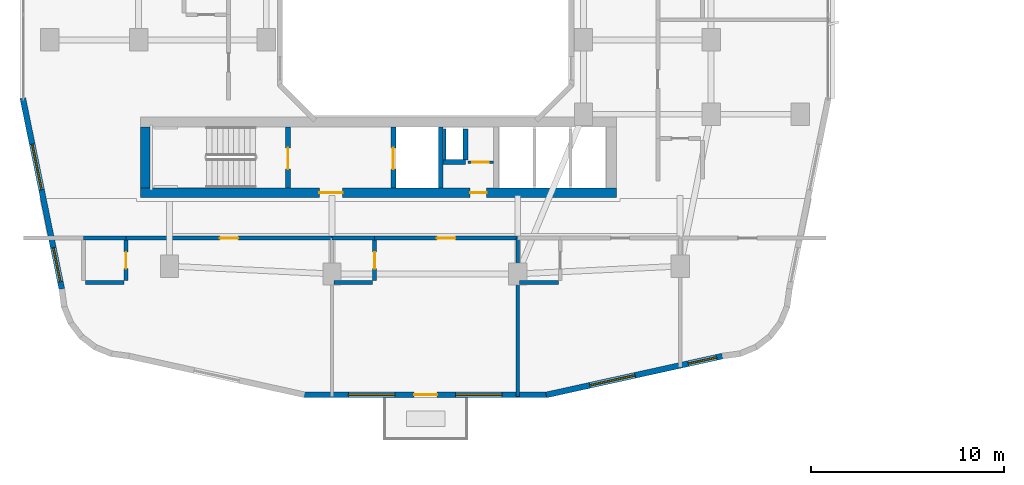
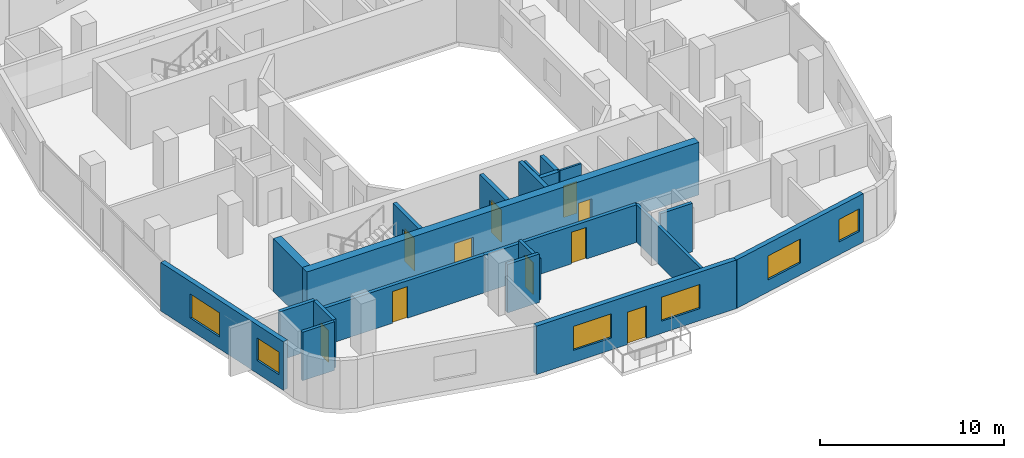
# One storey, part 8 of 22: 22 walls, 10 doors, 6 windows, 16 openings.
"""IFC4 building model written with IfcOpenShell, lengths in metres."""

from ifc_helpers import new_model, si_unit, derived_unit, direction, frame, frame_2d, origin, place, context, subcontext, project, spatial, rectangle, extrude, material, layer, layer_set, type_object, element, fill, save


model = new_model("IFC4")

# Units and contexts
model_context = context("Model", 3, precision=1e-05, world=origin(), true_north=direction((0.0, 1.0)))
body_context = subcontext(model_context, "Body", "Model", "MODEL_VIEW")
ifc_project = project(units=[si_unit("LENGTHUNIT", "METRE"), si_unit("AREAUNIT", "SQUARE_METRE"), si_unit("VOLUMEUNIT", "CUBIC_METRE"), si_unit("PLANEANGLEUNIT", "RADIAN"), si_unit("MASSUNIT", "GRAM", prefix="KILO"), derived_unit("THERMALTRANSMITTANCEUNIT", [(si_unit("POWERUNIT", "WATT"), 1), (si_unit("LENGTHUNIT", "METRE"), -2), (si_unit("THERMODYNAMICTEMPERATUREUNIT", "KELVIN"), -1)])], contexts=[model_context])

# Site, building, storey
site_placement = place(None, origin())
site = spatial("IfcSite", under=ifc_project, at=site_placement, CompositionType="ELEMENT")
building_placement = place(site_placement, origin())
building = spatial("IfcBuilding", under=site, at=building_placement, Name="Kivonza Crest Hotel", CompositionType="ELEMENT")
storey_placement = place(building_placement, frame((0.0, 0.0, 59.0)))
storey = spatial("IfcBuildingStorey", under=building, at=storey_placement, Name="L15", CompositionType="ELEMENT", Elevation=59.0)

# Walls
ifc_material_1 = material(Name="High-density acoustic masonry inter-tenancy wall", Category="masonry")
ifc_layer_1 = layer(ifc_material_1, 0.179931640625)
ifc_layer_set_1 = layer_set([ifc_layer_1], Name="High-density acoustic masonry inter-tenancy wall")
wall_type_1 = type_object("IfcWallType", Name="WL-ACOU-180", PredefinedType="SOLIDWALL", material=ifc_layer_set_1)
wall_1_placement = place(storey_placement, frame((25.800048828125, 3.06005859375, 0.0), z_axis=(0.0, 0.0, 1.0), x_axis=(0.0, 1.0, 0.0)))
element("IfcWall", 1, at=wall_1_placement, inside=storey, type_object=wall_type_1, Name="L15 interior partition WA-L15-T1S-DIV2", PredefinedType="SOLIDWALL", context=body_context, shape_type="SweptSolid", body=[
    extrude(rectangle(XDim=8.18994140625, YDim=0.179931640625, at=frame_2d((4.094970703125, 0.0))), origin(), (0.0, 0.0, 1.0), 2.4951171875),
])
ifc_material_2 = material(Name="Autoclaved aerated concrete blockwork", Category="masonry")
ifc_layer_2 = layer(ifc_material_2, 0.219970703125)
ifc_layer_set_2 = layer_set([ifc_layer_2], Name="Autoclaved aerated concrete blockwork")
wall_type_2 = type_object("IfcWallType", Name="WL-ACOU-220", PredefinedType="SOLIDWALL", material=ifc_layer_set_2)
wall_2_placement = place(storey_placement, frame((3.35009765625, 11.25, 0.0), z_axis=(0.0, 0.0, 1.0), x_axis=(1.0, 0.0, 0.0)))
element("IfcWall", 2, at=wall_2_placement, inside=storey, type_object=wall_type_2, Name="L15 interior partition WA-L15-S03-BCORR", PredefinedType="SOLIDWALL", context=body_context, shape_type="SweptSolid", body=[
    extrude(rectangle(XDim=2.199951171875, YDim=0.219970703125, at=frame_2d((1.10009765625, 0.0))), origin(), (0.0, 0.0, 1.0), 3.219970703125),
])

# Wall, opening, door
wall_3_placement = place(storey_placement, frame((5.550048828125, 11.25, 0.0), z_axis=(0.0, 0.0, 1.0), x_axis=(1.0, 0.0, 0.0)))
wall_3 = element("IfcWall", 3, at=wall_3_placement, inside=storey, type_object=wall_type_2, Name="L15 interior partition WA-L15-S03-MCORR", PredefinedType="SOLIDWALL", context=body_context, shape_type="SweptSolid", body=[
    extrude(rectangle(XDim=10.64990234375, YDim=0.219970703125, at=frame_2d((5.324951171875, 0.0))), origin(), (0.0, 0.0, 1.0), 2.4951171875),
])
opening_1_placement = place(wall_3_placement, frame((4.85009765625, 0.0, 0.0)))
opening_1 = element("IfcOpeningElement", 4, at=opening_1_placement, cuts=wall_3, Name="Opening DU-60", PredefinedType="OPENING", context=body_context, shape_type="SweptSolid", body=[
    extrude(rectangle(XDim=0.949951171875, YDim=2.10009765625, at=frame_2d((0.47509765625, 1.050048828125))), frame((0.0, 0.1201171875, 0.0), z_axis=(0.0, -1.0, 0.0), x_axis=(1.0, 0.0, 0.0)), (0.0, 0.0, 1.0), 0.239990234375),
])
ifc_material_3 = material(Name="Hardwood timber oak", Category="wood")
door_type_1 = type_object("IfcDoorType", Name="DR-UNIT-950", OperationType="NOTDEFINED", PredefinedType="DOOR", material=ifc_material_3)
door_1_placement = place(opening_1_placement, frame((0.949951171875, 0.0, 0.0), z_axis=(0.0, 0.0, 1.0), x_axis=(-1.0, 0.0, 0.0)))
door_1 = element("IfcDoor", 5, at=door_1_placement, inside=storey, type_object=door_type_1, Name="L15 S03 guest unit entrance fire door", OperationType="SINGLE_SWING_LEFT", OverallHeight=2.10009765625, OverallWidth=0.949951171875, PredefinedType="DOOR", context=body_context, shape_type="SweptSolid", body=[
    extrude(rectangle(XDim=0.949951171875, YDim=2.10009765625, at=frame_2d((0.47509765625, 1.050048828125))), frame((0.0, 0.02490234375, 0.0), z_axis=(0.0, -1.0, 0.0), x_axis=(1.0, 0.0, 0.0)), (0.0, 0.0, 1.0), 0.050048828125),
])
fill(opening_1, door_1)

# Wall
wall_4_placement = place(storey_placement, frame((16.199951171875, 11.25, 0.0), z_axis=(0.0, 0.0, 1.0), x_axis=(1.0, 0.0, 0.0)))
element("IfcWall", 6, at=wall_4_placement, inside=storey, type_object=wall_type_2, Name="L15 interior partition WA-L15-S04-BCORR", PredefinedType="SOLIDWALL", context=body_context, shape_type="SweptSolid", body=[
    extrude(rectangle(XDim=2.199951171875, YDim=0.219970703125, at=frame_2d((1.10009765625, 0.0))), origin(), (0.0, 0.0, 1.0), 2.4951171875),
])

# Wall, opening, door
wall_5_placement = place(storey_placement, frame((18.39990234375, 11.25, 0.0), z_axis=(0.0, 0.0, 1.0), x_axis=(1.0, 0.0, 0.0)))
wall_5 = element("IfcWall", 7, at=wall_5_placement, inside=storey, type_object=wall_type_2, Name="L15 interior partition WA-L15-S04-MCORR", PredefinedType="SOLIDWALL", context=body_context, shape_type="SweptSolid", body=[
    extrude(rectangle(XDim=7.400146484375, YDim=0.219970703125, at=frame_2d((3.7001953125, 0.0))), origin(), (0.0, 0.0, 1.0), 2.4951171875),
])
opening_2_placement = place(wall_5_placement, frame((3.22509765625, 0.0, 0.0)))
opening_2 = element("IfcOpeningElement", 8, at=opening_2_placement, cuts=wall_5, Name="Opening DU-60", PredefinedType="OPENING", context=body_context, shape_type="SweptSolid", body=[
    extrude(rectangle(XDim=0.949951171875, YDim=2.10009765625, at=frame_2d((0.47509765625, 1.050048828125))), frame((0.0, 0.1201171875, 0.0), z_axis=(0.0, -1.0, 0.0), x_axis=(1.0, 0.0, 0.0)), (0.0, 0.0, 1.0), 0.239990234375),
])
door_2_placement = place(opening_2_placement, frame((0.949951171875, 0.0, 0.0), z_axis=(0.0, 0.0, 1.0), x_axis=(-1.0, 0.0, 0.0)))
door_2 = element("IfcDoor", 9, at=door_2_placement, inside=storey, type_object=door_type_1, Name="L15 S04 guest unit entrance fire door", OperationType="SINGLE_SWING_RIGHT", OverallHeight=2.10009765625, OverallWidth=0.949951171875, PredefinedType="DOOR", context=body_context, shape_type="SweptSolid", body=[
    extrude(rectangle(XDim=0.949951171875, YDim=2.10009765625, at=frame_2d((0.47509765625, 1.050048828125))), frame((0.0, 0.02490234375, 0.0), z_axis=(0.0, -1.0, 0.0), x_axis=(1.0, 0.0, 0.0)), (0.0, 0.0, 1.0), 0.050048828125),
])
fill(opening_2, door_2)

# Wall, openings, doors
ifc_material_4 = material(Name="Concrete C60/75", Category="concrete")
ifc_layer_3 = layer(ifc_material_4, 0.5)
ifc_layer_set_3 = layer_set([ifc_layer_3], Name="Concrete C60/75")
wall_type_3 = type_object("IfcWallType", Name="WL-CORE-500", PredefinedType="SHEAR", material=ifc_layer_set_3)
wall_6_placement = place(storey_placement, frame((6.300048828125, 13.590087890625, 0.0), z_axis=(0.0, 0.0, 1.0), x_axis=(1.0, 0.0, 0.0)))
wall_6 = element("IfcWall", 10, at=wall_6_placement, inside=storey, type_object=wall_type_3, Name="Core wall T1-S South L15", PredefinedType="SHEAR", context=body_context, shape_type="SweptSolid", body=[
    extrude(rectangle(XDim=24.599853515625, YDim=0.5, at=frame_2d((12.2998046875, 0.0))), origin(), (0.0, 0.0, 1.0), 3.5),
])
opening_3_placement = place(wall_6_placement, frame((9.25, 0.0, 0.0)))
opening_3 = element("IfcOpeningElement", 11, at=opening_3_placement, cuts=wall_6, Name="Opening DF-60", PredefinedType="OPENING", context=body_context, shape_type="SweptSolid", body=[
    extrude(rectangle(XDim=1.199951171875, YDim=2.14990234375, at=frame_2d((0.60009765625, 1.074951171875))), frame((0.0, 0.260009765625, 0.0), z_axis=(0.0, -1.0, 0.0), x_axis=(1.0, 0.0, 0.0)), (0.0, 0.0, 1.0), 0.52001953125),
])
opening_4_placement = place(wall_6_placement, frame((17.0400390625, 0.0, 0.0)))
opening_4 = element("IfcOpeningElement", 12, at=opening_4_placement, cuts=wall_6, Name="Opening DF-60R", PredefinedType="OPENING", context=body_context, shape_type="SweptSolid", body=[
    extrude(rectangle(XDim=0.85009765625, YDim=2.10009765625, at=frame_2d((0.425048828125, 1.050048828125))), frame((0.0, 0.260009765625, 0.0), z_axis=(0.0, -1.0, 0.0), x_axis=(1.0, 0.0, 0.0)), (0.0, 0.0, 1.0), 0.52001953125),
])
door_type_2 = type_object("IfcDoorType", Name="DR-FD60-1200", OperationType="NOTDEFINED", PredefinedType="DOOR", material=ifc_material_3)
door_3_placement = place(opening_3_placement, frame((1.199951171875, 0.0, 0.0), z_axis=(0.0, 0.0, 1.0), x_axis=(-1.0, 0.0, 0.0)))
door_3 = element("IfcDoor", 13, at=door_3_placement, inside=storey, type_object=door_type_2, Name="L15 T1-S firefighting lobby fire door", OperationType="SINGLE_SWING_LEFT", OverallHeight=2.14990234375, OverallWidth=1.199951171875, PredefinedType="DOOR", context=body_context, shape_type="SweptSolid", body=[
    extrude(rectangle(XDim=1.199951171875, YDim=2.14990234375, at=frame_2d((0.60009765625, 1.074951171875))), frame((0.0, 0.02490234375, 0.0), z_axis=(0.0, -1.0, 0.0), x_axis=(1.0, 0.0, 0.0)), (0.0, 0.0, 1.0), 0.050048828125),
])
fill(opening_3, door_3)
door_type_3 = type_object("IfcDoorType", Name="DR-FD60-850", OperationType="NOTDEFINED", PredefinedType="DOOR", material=ifc_material_3)
door_4_placement = place(opening_4_placement, frame((0.85009765625, 0.0, 0.0), z_axis=(0.0, 0.0, 1.0), x_axis=(-1.0, 0.0, 0.0)))
door_4 = element("IfcDoor", 14, at=door_4_placement, inside=storey, type_object=door_type_3, Name="L15 T1-S core room door", OperationType="SINGLE_SWING_RIGHT", OverallHeight=2.10009765625, OverallWidth=0.85009765625, PredefinedType="DOOR", context=body_context, shape_type="SweptSolid", body=[
    extrude(rectangle(XDim=0.85009765625, YDim=2.10009765625, at=frame_2d((0.425048828125, 1.050048828125))), frame((0.0, 0.02490234375, 0.0), z_axis=(0.0, -1.0, 0.0), x_axis=(1.0, 0.0, 0.0)), (0.0, 0.0, 1.0), 0.050048828125),
])
fill(opening_4, door_4)

# Wall
wall_7_placement = place(storey_placement, frame((6.550048828125, 13.840087890625, 0.0), z_axis=(0.0, 0.0, 1.0), x_axis=(0.0, 1.0, 0.0)))
element("IfcWall", 15, at=wall_7_placement, inside=storey, type_object=wall_type_3, Name="Core wall T1-S West L15", PredefinedType="SHEAR", context=body_context, shape_type="SweptSolid", body=[
    extrude(rectangle(XDim=3.159912109375, YDim=0.5, at=frame_2d((1.580078125, 0.0))), origin(), (0.0, 0.0, 1.0), 3.5),
])

# Wall, openings, door, windows
ifc_material_5 = material(Name="Precast concrete C40/50", Category="concrete")
ifc_layer_4 = layer(ifc_material_5, 0.300048828125)
ifc_layer_set_4 = layer_set([ifc_layer_4], Name="Precast concrete C40/50")
wall_type_4 = type_object("IfcWallType", Name="WL-EXT-300", PredefinedType="STANDARD", material=ifc_layer_set_4)
wall_8_placement = place(storey_placement, frame((14.72705078125, 3.14990234375, 0.0), z_axis=(0.0, 0.0, 1.0), x_axis=(1.0, 0.0, 0.0)))
wall_8 = element("IfcWall", 16, at=wall_8_placement, inside=storey, type_object=wall_type_4, Name="L15 T1 exterior insulated wall 8", PredefinedType="STANDARD", context=body_context, shape_type="SweptSolid", body=[
    extrude(rectangle(XDim=12.591064453125, YDim=0.300048828125, at=frame_2d((6.29541015625, 0.0))), origin(), (0.0, 0.0, 1.0), 3.219970703125),
])
opening_5_placement = place(wall_8_placement, frame((5.712890625, 0.0, 0.0)))
opening_5 = element("IfcOpeningElement", 17, at=opening_5_placement, cuts=wall_8, Name="Opening DT-120", PredefinedType="OPENING", context=body_context, shape_type="SweptSolid", body=[
    extrude(rectangle(XDim=1.199951171875, YDim=2.14990234375, at=frame_2d((0.60009765625, 1.074951171875))), frame((0.0, 0.16015625, 0.0), z_axis=(0.0, -1.0, 0.0), x_axis=(1.0, 0.0, 0.0)), (0.0, 0.0, 1.0), 0.320068359375),
])
opening_6_placement = place(wall_8_placement, frame((2.318115234375, 0.0, 0.800048828125)))
opening_6 = element("IfcOpeningElement", 18, at=opening_6_placement, cuts=wall_8, Name="Opening WN-05", PredefinedType="OPENING", context=body_context, shape_type="SweptSolid", body=[
    extrude(rectangle(XDim=2.39990234375, YDim=1.60009765625, at=frame_2d((1.199951171875, 0.800048828125))), frame((0.0, 0.16015625, 0.0), z_axis=(0.0, -1.0, 0.0), x_axis=(1.0, 0.0, 0.0)), (0.0, 0.0, 1.0), 0.320068359375),
])
opening_7_placement = place(wall_8_placement, frame((7.867919921875, 0.0, 0.800048828125)))
opening_7 = element("IfcOpeningElement", 19, at=opening_7_placement, cuts=wall_8, Name="Opening WN-05", PredefinedType="OPENING", context=body_context, shape_type="SweptSolid", body=[
    extrude(rectangle(XDim=2.39990234375, YDim=1.60009765625, at=frame_2d((1.199951171875, 0.800048828125))), frame((0.0, 0.16015625, 0.0), z_axis=(0.0, -1.0, 0.0), x_axis=(1.0, 0.0, 0.0)), (0.0, 0.0, 1.0), 0.320068359375),
])
ifc_material_6 = material(Name="Anodised bronze aluminium and laminated safety glass", Category="aluminium")
door_type_4 = type_object("IfcDoorType", Name="DR-TERR-1200", OperationType="NOTDEFINED", PredefinedType="DOOR", material=ifc_material_6)
door_5_placement = place(opening_5_placement, frame((1.199951171875, 0.0, 0.0), z_axis=(0.0, 0.0, 1.0), x_axis=(-1.0, 0.0, 0.0)))
door_5 = element("IfcDoor", 20, at=door_5_placement, inside=storey, type_object=door_type_4, Name="T1 L15 SW sky-garden bridge access door", OperationType="SINGLE_SWING_LEFT", OverallHeight=2.14990234375, OverallWidth=1.199951171875, PredefinedType="DOOR", context=body_context, shape_type="SweptSolid", body=[
    extrude(rectangle(XDim=1.199951171875, YDim=2.14990234375, at=frame_2d((0.60009765625, 1.074951171875))), frame((0.0, 0.02490234375, 0.0), z_axis=(0.0, -1.0, 0.0), x_axis=(1.0, 0.0, 0.0)), (0.0, 0.0, 1.0), 0.050048828125),
])
fill(opening_5, door_5)
ifc_material_7 = material(Name="Thermally broken bronze aluminium and low-E double glazing", Category="aluminium")
window_type_1 = type_object("IfcWindowType", Name="WN-240x160", PartitioningType="TRIPLE_PANEL_VERTICAL", PredefinedType="WINDOW", material=ifc_material_7)
window_1_placement = place(opening_6_placement, origin())
window_1 = element("IfcWindow", 21, at=window_1_placement, inside=storey, type_object=window_type_1, Name="L15 T1 facade window 8 bay 1", OverallHeight=1.60009765625, OverallWidth=2.39990234375, PartitioningType="SINGLE_PANEL", PredefinedType="WINDOW", context=body_context, shape_type="SweptSolid", body=[
    extrude(rectangle(XDim=2.39990234375, YDim=1.60009765625, at=frame_2d((1.199951171875, 0.800048828125))), frame((0.0, 0.030029296875, 0.0), z_axis=(0.0, -1.0, 0.0), x_axis=(1.0, 0.0, 0.0)), (0.0, 0.0, 1.0), 0.06005859375),
])
fill(opening_6, window_1)
window_2_placement = place(opening_7_placement, origin())
window_2 = element("IfcWindow", 22, at=window_2_placement, inside=storey, type_object=window_type_1, Name="L15 T1 facade window 8 bay 2", OverallHeight=1.60009765625, OverallWidth=2.39990234375, PartitioningType="SINGLE_PANEL", PredefinedType="WINDOW", context=body_context, shape_type="SweptSolid", body=[
    extrude(rectangle(XDim=2.39990234375, YDim=1.60009765625, at=frame_2d((1.199951171875, 0.800048828125))), frame((0.0, 0.030029296875, 0.0), z_axis=(0.0, -1.0, 0.0), x_axis=(1.0, 0.0, 0.0)), (0.0, 0.0, 1.0), 0.06005859375),
])
fill(opening_7, window_2)

# Wall, openings, windows
wall_9_placement = place(storey_placement, frame((27.27197265625, 3.14111328125, 0.0), z_axis=(0.0, 0.0, 1.0), x_axis=(0.976555357219, 0.21526642629, 0.0)))
wall_9 = element("IfcWall", 23, at=wall_9_placement, inside=storey, type_object=wall_type_4, Name="L15 T1 exterior insulated wall 9", PredefinedType="STANDARD", context=body_context, shape_type="SweptSolid", body=[
    extrude(rectangle(XDim=9.322509765625, YDim=0.300048828125, at=frame_2d((4.6611328125, 0.0))), origin(), (0.0, 0.0, 1.0), 3.219970703125),
])
opening_8_placement = place(wall_9_placement, frame((2.306884765625, 0.0, 0.800048828125)))
opening_8 = element("IfcOpeningElement", 24, at=opening_8_placement, cuts=wall_9, Name="Opening WN-05", PredefinedType="OPENING", context=body_context, shape_type="SweptSolid", body=[
    extrude(rectangle(XDim=2.39990234375, YDim=1.60009765625, at=frame_2d((1.199951171875, 0.800048828125))), frame((0.0, 0.16015625, 0.0), z_axis=(0.0, -1.0, 0.0), x_axis=(1.0, 0.0, 0.0)), (0.0, 0.0, 1.0), 0.320068359375),
])
opening_9_placement = place(wall_9_placement, frame((7.52392578125, 0.0, 0.85009765625)))
opening_9 = element("IfcOpeningElement", 25, at=opening_9_placement, cuts=wall_9, Name="Opening WN-02", PredefinedType="OPENING", context=body_context, shape_type="SweptSolid", body=[
    extrude(rectangle(XDim=1.5, YDim=1.5, at=frame_2d((0.75, 0.75))), frame((0.0, 0.16015625, 0.0), z_axis=(0.0, -1.0, 0.0), x_axis=(1.0, 0.0, 0.0)), (0.0, 0.0, 1.0), 0.320068359375),
])
window_type_2 = type_object("IfcWindowType", Name="WN-150x150", PartitioningType="DOUBLE_PANEL_VERTICAL", PredefinedType="WINDOW", material=ifc_material_7)
window_3_placement = place(opening_9_placement, origin())
window_3 = element("IfcWindow", 26, at=window_3_placement, inside=storey, type_object=window_type_2, Name="L15 T1 facade window 9 bay 2", OverallHeight=1.5, OverallWidth=1.5, PartitioningType="SINGLE_PANEL", PredefinedType="WINDOW", context=body_context, shape_type="SweptSolid", body=[
    extrude(rectangle(XDim=1.5, YDim=1.5, at=frame_2d((0.75, 0.75))), frame((0.0, 0.030029296875, 0.0), z_axis=(0.0, -1.0, 0.0), x_axis=(1.0, 0.0, 0.0)), (0.0, 0.0, 1.0), 0.06005859375),
])
fill(opening_9, window_3)
window_4_placement = place(opening_8_placement, origin())
window_4 = element("IfcWindow", 27, at=window_4_placement, inside=storey, type_object=window_type_1, Name="L15 T1 facade window 9 bay 1", OverallHeight=1.60009765625, OverallWidth=2.39990234375, PartitioningType="SINGLE_PANEL", PredefinedType="WINDOW", context=body_context, shape_type="SweptSolid", body=[
    extrude(rectangle(XDim=2.39990234375, YDim=1.60009765625, at=frame_2d((1.199951171875, 0.800048828125))), frame((0.0, 0.030029296875, 0.0), z_axis=(0.0, -1.0, 0.0), x_axis=(1.0, 0.0, 0.0)), (0.0, 0.0, 1.0), 0.06005859375),
])
fill(opening_8, window_4)

wall_10_placement = place(storey_placement, frame((0.216064453125, 18.48388671875, 0.0), z_axis=(0.0, 0.0, 1.0), x_axis=(0.199990901713, -0.979797754249, 0.0)))
wall_10 = element("IfcWall", 28, at=wall_10_placement, inside=storey, type_object=wall_type_4, Name="L15 T1 exterior insulated wall 36", PredefinedType="STANDARD", context=body_context, shape_type="SweptSolid", body=[
    extrude(rectangle(XDim=10.065185546875, YDim=0.300048828125, at=frame_2d((5.03271484375, 0.0))), origin(), (0.0, 0.0, 1.0), 3.219970703125),
])
opening_10_placement = place(wall_10_placement, frame((2.428955078125, 0.0, 0.800048828125)))
opening_10 = element("IfcOpeningElement", 29, at=opening_10_placement, cuts=wall_10, Name="Opening WN-05", PredefinedType="OPENING", context=body_context, shape_type="SweptSolid", body=[
    extrude(rectangle(XDim=2.39990234375, YDim=1.60009765625, at=frame_2d((1.199951171875, 0.800048828125))), frame((0.0, 0.16015625, 0.0), z_axis=(0.0, -1.0, 0.0), x_axis=(1.0, 0.0, 0.0)), (0.0, 0.0, 1.0), 0.320068359375),
])
opening_11_placement = place(wall_10_placement, frame((7.886962890625, 0.0, 0.85009765625)))
opening_11 = element("IfcOpeningElement", 30, at=opening_11_placement, cuts=wall_10, Name="Opening WN-03", PredefinedType="OPENING", context=body_context, shape_type="SweptSolid", body=[
    extrude(rectangle(XDim=1.800048828125, YDim=1.5, at=frame_2d((0.89990234375, 0.75))), frame((0.0, 0.16015625, 0.0), z_axis=(0.0, -1.0, 0.0), x_axis=(1.0, 0.0, 0.0)), (0.0, 0.0, 1.0), 0.320068359375),
])
window_type_3 = type_object("IfcWindowType", Name="WN-180x150", PartitioningType="DOUBLE_PANEL_VERTICAL", PredefinedType="WINDOW", material=ifc_material_7)
window_5_placement = place(opening_11_placement, origin())
window_5 = element("IfcWindow", 31, at=window_5_placement, inside=storey, type_object=window_type_3, Name="L15 T1 facade window 36 bay 2", OverallHeight=1.5, OverallWidth=1.800048828125, PartitioningType="SINGLE_PANEL", PredefinedType="WINDOW", context=body_context, shape_type="SweptSolid", body=[
    extrude(rectangle(XDim=1.800048828125, YDim=1.5, at=frame_2d((0.89990234375, 0.75))), frame((0.0, 0.030029296875, 0.0), z_axis=(0.0, -1.0, 0.0), x_axis=(1.0, 0.0, 0.0)), (0.0, 0.0, 1.0), 0.06005859375),
])
fill(opening_11, window_5)
window_6_placement = place(opening_10_placement, origin())
window_6 = element("IfcWindow", 32, at=window_6_placement, inside=storey, type_object=window_type_1, Name="L15 T1 facade window 36 bay 1", OverallHeight=1.60009765625, OverallWidth=2.39990234375, PartitioningType="SINGLE_PANEL", PredefinedType="WINDOW", context=body_context, shape_type="SweptSolid", body=[
    extrude(rectangle(XDim=2.39990234375, YDim=1.60009765625, at=frame_2d((1.199951171875, 0.800048828125))), frame((0.0, 0.030029296875, 0.0), z_axis=(0.0, -1.0, 0.0), x_axis=(1.0, 0.0, 0.0)), (0.0, 0.0, 1.0), 0.06005859375),
])
fill(opening_10, window_6)

# Walls
ifc_material_8 = material(Name="Concrete blockwork fire-compartment wall", Category="masonry")
ifc_layer_5 = layer(ifc_material_8, 0.25)
ifc_layer_set_5 = layer_set([ifc_layer_5], Name="Concrete blockwork fire-compartment wall")
wall_type_5 = type_object("IfcWallType", Name="WL-FIRE-250", PredefinedType="SOLIDWALL", material=ifc_layer_set_5)
wall_11_placement = place(storey_placement, frame((23.10009765625, 15.280029296875, 0.0), z_axis=(0.0, 0.0, 1.0), x_axis=(0.0, 1.0, 0.0)))
element("IfcWall", 33, at=wall_11_placement, inside=storey, type_object=wall_type_5, Name="L15 interior partition WA-L15-T1-S-MEPR-E", PredefinedType="SOLIDWALL", context=body_context, shape_type="SweptSolid", body=[
    extrude(rectangle(XDim=1.619873046875, YDim=0.25, at=frame_2d((0.81005859375, 0.0))), origin(), (0.0, 0.0, 1.0), 3.219970703125),
])
wall_12_placement = place(storey_placement, frame((21.949951171875, 15.179931640625, 0.0), z_axis=(0.0, 0.0, 1.0), x_axis=(1.0, 0.0, 0.0)))
element("IfcWall", 34, at=wall_12_placement, inside=storey, type_object=wall_type_5, Name="L15 interior partition WA-L15-T1-S-MEPR-H", PredefinedType="SOLIDWALL", context=body_context, shape_type="SweptSolid", body=[
    extrude(rectangle(XDim=1.150146484375, YDim=0.25, at=frame_2d((0.5751953125, 0.0))), origin(), (0.0, 0.0, 1.0), 3.219970703125),
])

# Wall, opening, door
ifc_material_9 = material(Name="Metal-stud gypsum board partition", Category="gypsum")
ifc_layer_6 = layer(ifc_material_9, 0.125)
ifc_layer_set_6 = layer_set([ifc_layer_6], Name="Metal-stud gypsum board partition")
wall_type_6 = type_object("IfcWallType", Name="WL-PART-125", PredefinedType="PARTITIONING", material=ifc_layer_set_6)
wall_13_placement = place(storey_placement, frame((23.219970703125, 15.179931640625, 0.0), z_axis=(0.0, 0.0, 1.0), x_axis=(1.0, 0.0, 0.0)))
wall_13 = element("IfcWall", 35, at=wall_13_placement, inside=storey, type_object=wall_type_6, Name="L15 interior partition WP-L15-T1-S-SV3H", PredefinedType="PARTITIONING", context=body_context, shape_type="SweptSolid", body=[
    extrude(rectangle(XDim=1.330078125, YDim=0.125, at=frame_2d((0.6650390625, 0.0))), origin(), (0.0, 0.0, 1.0), 3.219970703125),
])
opening_12_placement = place(wall_13_placement, frame((0.239990234375, 0.0, 0.0)))
opening_12 = element("IfcOpeningElement", 36, at=opening_12_placement, cuts=wall_13, Name="Opening DI-85", PredefinedType="OPENING", context=body_context, shape_type="SweptSolid", body=[
    extrude(rectangle(XDim=0.85009765625, YDim=2.10009765625, at=frame_2d((0.425048828125, 1.050048828125))), frame((0.0, 0.072509765625, 0.0), z_axis=(0.0, -1.0, 0.0), x_axis=(1.0, 0.0, 0.0)), (0.0, 0.0, 1.0), 0.14501953125),
])
door_type_5 = type_object("IfcDoorType", Name="DR-INT-850", OperationType="NOTDEFINED", PredefinedType="DOOR", material=ifc_material_3)
door_6_placement = place(opening_12_placement, origin())
door_6 = element("IfcDoor", 37, at=door_6_placement, inside=storey, type_object=door_type_5, Name="L15 T1-S inner manifold door", OperationType="SINGLE_SWING_LEFT", OverallHeight=2.10009765625, OverallWidth=0.85009765625, PredefinedType="DOOR", context=body_context, shape_type="SweptSolid", body=[
    extrude(rectangle(XDim=0.85009765625, YDim=2.10009765625, at=frame_2d((0.425048828125, 1.050048828125))), frame((0.0, 0.02490234375, 0.0), z_axis=(0.0, -1.0, 0.0), x_axis=(1.0, 0.0, 0.0)), (0.0, 0.0, 1.0), 0.050048828125),
])
fill(opening_12, door_6)

# Wall
ifc_material_10 = material(Name="Twin-stud acoustic gypsum board partition", Category="gypsum")
ifc_layer_7 = layer(ifc_material_10, 0.14990234375)
ifc_layer_set_7 = layer_set([ifc_layer_7], Name="Twin-stud acoustic gypsum board partition")
wall_type_7 = type_object("IfcWallType", Name="WL-PART-150", PredefinedType="PARTITIONING", material=ifc_layer_set_7)
wall_14_placement = place(storey_placement, frame((22.030029296875, 15.280029296875, 0.0), z_axis=(0.0, 0.0, 1.0), x_axis=(0.0, 1.0, 0.0)))
element("IfcWall", 38, at=wall_14_placement, inside=storey, type_object=wall_type_7, Name="L15 interior partition WA-L15-T1-S-MEPR-W", PredefinedType="PARTITIONING", context=body_context, shape_type="SweptSolid", body=[
    extrude(rectangle(XDim=1.619873046875, YDim=0.14990234375, at=frame_2d((0.81005859375, 0.0))), origin(), (0.0, 0.0, 1.0), 3.219970703125),
])

# Wall, opening, door
ifc_material_11 = material(Name="Moisture-resistant plumbing chase partition wall", Category="gypsum")
ifc_layer_8 = layer(ifc_material_11, 0.199951171875)
ifc_layer_set_8 = layer_set([ifc_layer_8], Name="Moisture-resistant plumbing chase partition wall")
wall_type_8 = type_object("IfcWallType", Name="WL-PLUMB-200", PredefinedType="PLUMBINGWALL", material=ifc_layer_set_8)
wall_15_placement = place(storey_placement, frame((5.550048828125, 9.050048828125, 0.0), z_axis=(0.0, 0.0, 1.0), x_axis=(0.0, 1.0, 0.0)))
wall_15 = element("IfcWall", 39, at=wall_15_placement, inside=storey, type_object=wall_type_8, Name="L15 interior partition WW-L15-S03-BV", PredefinedType="PLUMBINGWALL", context=body_context, shape_type="SweptSolid", body=[
    extrude(rectangle(XDim=2.099853515625, YDim=0.199951171875, at=frame_2d((1.0498046875, 0.0))), origin(), (0.0, 0.0, 1.0), 3.219970703125),
])
opening_13_placement = place(wall_15_placement, frame((0.625, 0.0, 0.0)))
opening_13 = element("IfcOpeningElement", 40, at=opening_13_placement, cuts=wall_15, Name="Opening DI-85", PredefinedType="OPENING", context=body_context, shape_type="SweptSolid", body=[
    extrude(rectangle(XDim=0.85009765625, YDim=2.10009765625, at=frame_2d((0.425048828125, 1.050048828125))), frame((0.0, 0.10986328125, 0.0), z_axis=(0.0, -1.0, 0.0), x_axis=(1.0, 0.0, 0.0)), (0.0, 0.0, 1.0), 0.219970703125),
])
door_7_placement = place(opening_13_placement, frame((0.85009765625, 0.0, 0.0), z_axis=(0.0, 0.0, 1.0), x_axis=(-1.0, 0.0, 0.0)))
door_7 = element("IfcDoor", 41, at=door_7_placement, inside=storey, type_object=door_type_5, Name="L15 S03 en-suite bathroom door", OperationType="SINGLE_SWING_RIGHT", OverallHeight=2.10009765625, OverallWidth=0.85009765625, PredefinedType="DOOR", context=body_context, shape_type="SweptSolid", body=[
    extrude(rectangle(XDim=0.85009765625, YDim=2.10009765625, at=frame_2d((0.425048828125, 1.050048828125))), frame((0.0, 0.02490234375, 0.0), z_axis=(0.0, -1.0, 0.0), x_axis=(1.0, 0.0, 0.0)), (0.0, 0.0, 1.0), 0.050048828125),
])
fill(opening_13, door_7)

# Wall
wall_16_placement = place(storey_placement, frame((3.449951171875, 8.949951171875, 0.0), z_axis=(0.0, 0.0, 1.0), x_axis=(1.0, 0.0, 0.0)))
element("IfcWall", 42, at=wall_16_placement, inside=storey, type_object=wall_type_8, Name="L15 interior partition WW-L15-S03-BH", PredefinedType="PLUMBINGWALL", context=body_context, shape_type="SweptSolid", body=[
    extrude(rectangle(XDim=2.0, YDim=0.199951171875, at=frame_2d((1.0, 0.0))), origin(), (0.0, 0.0, 1.0), 3.219970703125),
])

# Wall, opening, door
wall_17_placement = place(storey_placement, frame((18.39990234375, 9.050048828125, 0.0), z_axis=(0.0, 0.0, 1.0), x_axis=(0.0, 1.0, 0.0)))
wall_17 = element("IfcWall", 43, at=wall_17_placement, inside=storey, type_object=wall_type_8, Name="L15 interior partition WW-L15-S04-BV", PredefinedType="PLUMBINGWALL", context=body_context, shape_type="SweptSolid", body=[
    extrude(rectangle(XDim=2.099853515625, YDim=0.199951171875, at=frame_2d((1.0498046875, 0.0))), origin(), (0.0, 0.0, 1.0), 2.7451171875),
])
opening_14_placement = place(wall_17_placement, frame((0.625, 0.0, 0.0)))
opening_14 = element("IfcOpeningElement", 44, at=opening_14_placement, cuts=wall_17, Name="Opening DI-85", PredefinedType="OPENING", context=body_context, shape_type="SweptSolid", body=[
    extrude(rectangle(XDim=0.85009765625, YDim=2.10009765625, at=frame_2d((0.425048828125, 1.050048828125))), frame((0.0, 0.10986328125, 0.0), z_axis=(0.0, -1.0, 0.0), x_axis=(1.0, 0.0, 0.0)), (0.0, 0.0, 1.0), 0.219970703125),
])
door_8_placement = place(opening_14_placement, frame((0.85009765625, 0.0, 0.0), z_axis=(0.0, 0.0, 1.0), x_axis=(-1.0, 0.0, 0.0)))
door_8 = element("IfcDoor", 45, at=door_8_placement, inside=storey, type_object=door_type_5, Name="L15 S04 en-suite bathroom door", OperationType="SINGLE_SWING_LEFT", OverallHeight=2.10009765625, OverallWidth=0.85009765625, PredefinedType="DOOR", context=body_context, shape_type="SweptSolid", body=[
    extrude(rectangle(XDim=0.85009765625, YDim=2.10009765625, at=frame_2d((0.425048828125, 1.050048828125))), frame((0.0, 0.02490234375, 0.0), z_axis=(0.0, -1.0, 0.0), x_axis=(1.0, 0.0, 0.0)), (0.0, 0.0, 1.0), 0.050048828125),
])
fill(opening_14, door_8)

# Walls
for number, where, z_axis, x_axis, name in (
    (46, (16.300048828125, 8.949951171875, 0.0), (0.0, 0.0, 1.0), (1.0, 0.0, 0.0), "L15 interior partition WW-L15-S04-BH"),
    (47, (25.89990234375, 8.949951171875, 0.0), (0.0, 0.0, 1.0), (1.0, 0.0, 0.0), "L15 interior partition WW-L15-S05-BH"),
):
    element("IfcWall", number, at=place(storey_placement, frame(where, z_axis=z_axis, x_axis=x_axis)), inside=storey, type_object=wall_type_8, Name=name, PredefinedType="PLUMBINGWALL", context=body_context, shape_type="SweptSolid", body=[
        extrude(rectangle(XDim=2.0, YDim=0.199951171875, at=frame_2d((1.0, 0.0))), origin(), (0.0, 0.0, 1.0), 3.219970703125),
    ])

# Wall, opening, door
ifc_material_12 = material(Name="Concrete C50/60", Category="concrete")
ifc_layer_9 = layer(ifc_material_12, 0.25)
ifc_layer_set_9 = layer_set([ifc_layer_9], Name="Concrete C50/60")
wall_type_9 = type_object("IfcWallType", Name="WL-SHAFT-250", PredefinedType="STANDARD", material=ifc_layer_set_9)
wall_18_placement = place(storey_placement, frame((13.925048828125, 13.840087890625, 0.0), z_axis=(0.0, 0.0, 1.0), x_axis=(0.0, 1.0, 0.0)))
wall_18 = element("IfcWall", 48, at=wall_18_placement, inside=storey, type_object=wall_type_9, Name="Core shaft wall T1-S STAIR L15", PredefinedType="STANDARD", context=body_context, shape_type="SweptSolid", body=[
    extrude(rectangle(XDim=3.159912109375, YDim=0.25, at=frame_2d((1.580078125, 0.0))), origin(), (0.0, 0.0, 1.0), 3.219970703125),
])
opening_15_placement = place(wall_18_placement, frame((0.97998046875, 0.0, 0.0)))
opening_15 = element("IfcOpeningElement", 49, at=opening_15_placement, cuts=wall_18, Name="Opening DF-120", PredefinedType="OPENING", context=body_context, shape_type="SweptSolid", body=[
    extrude(rectangle(XDim=1.10009765625, YDim=2.14990234375, at=frame_2d((0.550048828125, 1.074951171875))), frame((0.0, 0.135009765625, 0.0), z_axis=(0.0, -1.0, 0.0), x_axis=(1.0, 0.0, 0.0)), (0.0, 0.0, 1.0), 0.27001953125),
])
ifc_material_13 = material(Name="Galvanised steel", Category="steel")
door_type_6 = type_object("IfcDoorType", Name="DR-FD120-1100", OperationType="NOTDEFINED", PredefinedType="DOOR", material=ifc_material_13)
door_9_placement = place(opening_15_placement, frame((1.10009765625, 0.0, 0.0), z_axis=(0.0, 0.0, 1.0), x_axis=(-1.0, 0.0, 0.0)))
door_9 = element("IfcDoor", 50, at=door_9_placement, inside=storey, type_object=door_type_6, Name="L15 T1-S stair fire door", OperationType="SINGLE_SWING_RIGHT", OverallHeight=2.14990234375, OverallWidth=1.10009765625, PredefinedType="DOOR", context=body_context, shape_type="SweptSolid", body=[
    extrude(rectangle(XDim=1.10009765625, YDim=2.14990234375, at=frame_2d((0.550048828125, 1.074951171875))), frame((0.0, 0.02490234375, 0.0), z_axis=(0.0, -1.0, 0.0), x_axis=(1.0, 0.0, 0.0)), (0.0, 0.0, 1.0), 0.050048828125),
])
fill(opening_15, door_9)

wall_19_placement = place(storey_placement, frame((19.375, 13.840087890625, 0.0), z_axis=(0.0, 0.0, 1.0), x_axis=(0.0, 1.0, 0.0)))
wall_19 = element("IfcWall", 51, at=wall_19_placement, inside=storey, type_object=wall_type_9, Name="Core shaft wall T1-S FFL-W L15", PredefinedType="STANDARD", context=body_context, shape_type="SweptSolid", body=[
    extrude(rectangle(XDim=3.159912109375, YDim=0.25, at=frame_2d((1.580078125, 0.0))), origin(), (0.0, 0.0, 1.0), 3.219970703125),
])
opening_16_placement = place(wall_19_placement, frame((0.97998046875, 0.0, 0.0)))
opening_16 = element("IfcOpeningElement", 52, at=opening_16_placement, cuts=wall_19, Name="Opening LD-120", PredefinedType="OPENING", context=body_context, shape_type="SweptSolid", body=[
    extrude(rectangle(XDim=1.10009765625, YDim=2.14990234375, at=frame_2d((0.550048828125, 1.074951171875))), frame((0.0, 0.135009765625, 0.0), z_axis=(0.0, -1.0, 0.0), x_axis=(1.0, 0.0, 0.0)), (0.0, 0.0, 1.0), 0.27001953125),
])
ifc_material_14 = material(Name="Stainless steel", Category="steel")
door_type_7 = type_object("IfcDoorType", Name="DR-LD120-1100", OperationType="NOTDEFINED", PredefinedType="DOOR", material=ifc_material_14)
door_10_placement = place(opening_16_placement, origin())
door_10 = element("IfcDoor", 53, at=door_10_placement, inside=storey, type_object=door_type_7, Name="L15 FFL-T1-S firefighting lift sliding landing door", OperationType="DOUBLE_DOOR_SLIDING", OverallHeight=2.14990234375, OverallWidth=1.10009765625, PredefinedType="DOOR", context=body_context, shape_type="SweptSolid", body=[
    extrude(rectangle(XDim=1.10009765625, YDim=2.14990234375, at=frame_2d((0.550048828125, 1.074951171875))), frame((0.0, 0.02490234375, 0.0), z_axis=(0.0, -1.0, 0.0), x_axis=(1.0, 0.0, 0.0)), (0.0, 0.0, 1.0), 0.050048828125),
])
fill(opening_16, door_10)

# Wall
wall_20_placement = place(storey_placement, frame((21.824951171875, 13.840087890625, 0.0), z_axis=(0.0, 0.0, 1.0), x_axis=(0.0, 1.0, 0.0)))
element("IfcWall", 54, at=wall_20_placement, inside=storey, type_object=wall_type_9, Name="Core shaft wall T1-S FFL-E L15", PredefinedType="STANDARD", context=body_context, shape_type="SweptSolid", body=[
    extrude(rectangle(XDim=3.159912109375, YDim=0.25, at=frame_2d((1.580078125, 0.0))), origin(), (0.0, 0.0, 1.0), 3.219970703125),
])

save(model, "model.ifc")
